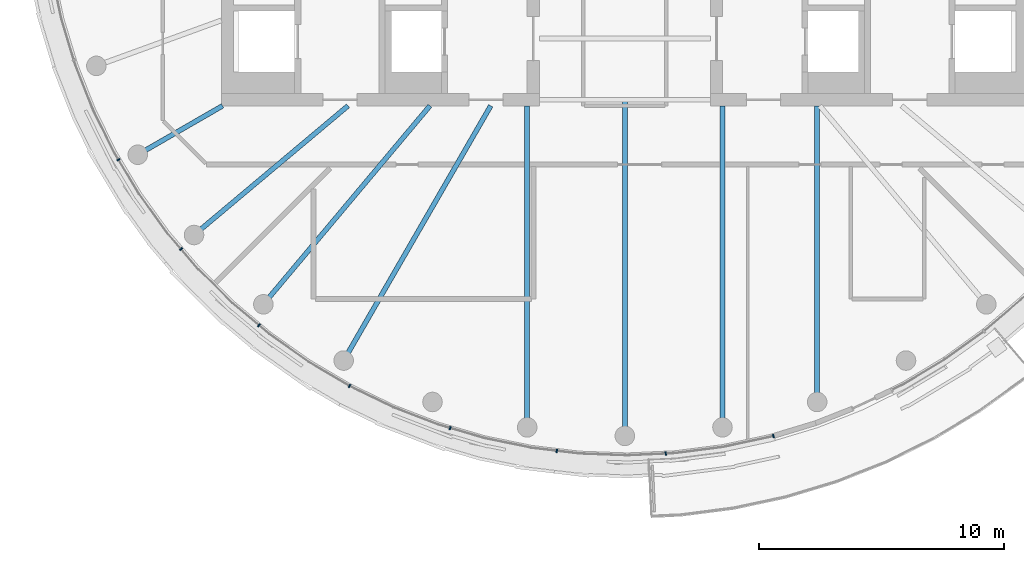
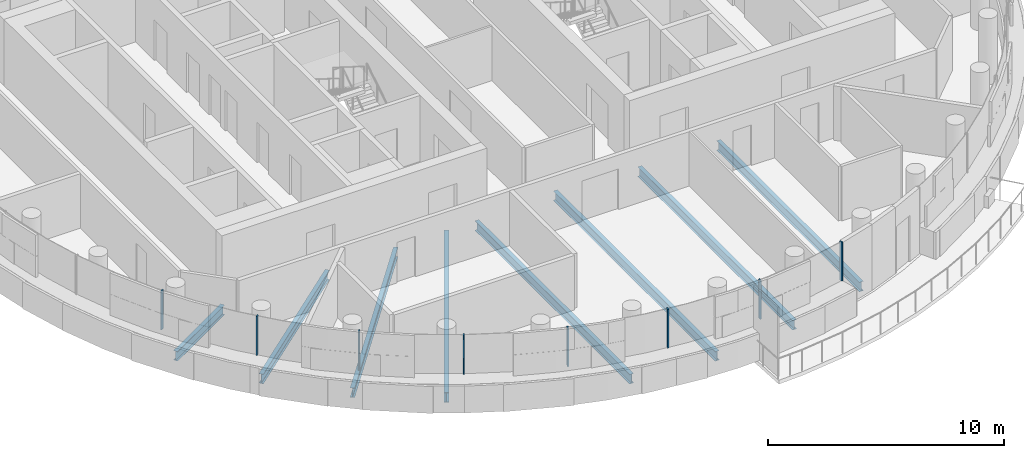
# One storey, part 2 of 20: 8 beams, 8 members, 1 element without a shape of its own.
"""IFC4 building model written with IfcOpenShell, lengths in metres."""

from ifc_helpers import new_model, si_unit, direction, frame, origin, origin_2d, place, context, subcontext, project, spatial, rectangle, i_section, extrude, material, layer, layer_set, material_profile, profile_set, type_object, element, aggregate, save


model = new_model("IFC4")

# Units and contexts
model_context = context("Model", 3, precision=1e-05, world=origin(), true_north=direction((0.0, 1.0)))
body_context = subcontext(model_context, "Body", "Model", "MODEL_VIEW")
ifc_project = project(units=[si_unit("LENGTHUNIT", "METRE"), si_unit("AREAUNIT", "SQUARE_METRE"), si_unit("VOLUMEUNIT", "CUBIC_METRE"), si_unit("PLANEANGLEUNIT", "RADIAN"), si_unit("MASSUNIT", "GRAM", prefix="KILO")], contexts=[model_context])

# Site, building, storey
site_placement = place(None, origin())
site = spatial("IfcSite", under=ifc_project, at=site_placement, CompositionType="ELEMENT")
building_placement = place(site_placement, origin())
building = spatial("IfcBuilding", under=site, at=building_placement, Name="Tamarind Cross Interchange Tower", CompositionType="ELEMENT")
storey_placement = place(building_placement, frame((0.0, 0.0, 274.800048828125)))
storey = spatial("IfcBuildingStorey", under=building, at=storey_placement, Name="L70", CompositionType="ELEMENT", Elevation=274.800048828125)

# Beams
ifc_material_1 = material(Name="Steel Q355B", Category="steel")
ifc_material_profile_1 = material_profile(ifc_material_1, i_section(OverallWidth=0.198974609375, OverallDepth=0.49609375, WebThickness=0.009033203125, FlangeThickness=0.013916015625, FilletRadius=0.012939453125, at=origin_2d()), Name="HN 496x199x9x14")
ifc_profile_set_1 = profile_set([ifc_material_profile_1], Name="Steel Q355B")
beam_type = type_object("IfcBeamType", Name="Composite beam HN 496x199x9x14 Q355B", PredefinedType="BEAM", material=ifc_profile_set_1)
beam_1_placement = place(storey_placement, frame((-19.918701171875, -11.5, -0.387939453125), z_axis=(0.866026010844, 0.49999894854, 0.0), x_axis=(-0.49999894854, 0.866026010844, 0.0)))
element("IfcBeam", 1, at=beam_1_placement, inside=storey, type_object=beam_type, Name="Beam HH21", PredefinedType="BEAM", context=body_context, shape_type="SweptSolid", body=[
    extrude(i_section(OverallWidth=0.198974609375, OverallDepth=0.49609375, WebThickness=0.009033203125, FlangeThickness=0.013916015625, FilletRadius=0.012939453125, at=origin_2d()), origin(), (0.0, 0.0, 1.0), 4.0),
])
beam_2_placement = place(storey_placement, frame((-17.619140625, -14.7841796875, -0.387939453125), z_axis=(0.766040580814, 0.642792212574, 0.0), x_axis=(-0.642792212574, 0.766040580814, 0.0)))
element("IfcBeam", 2, at=beam_2_placement, inside=storey, type_object=beam_type, Name="Beam HH22", PredefinedType="BEAM", context=body_context, shape_type="SweptSolid", body=[
    extrude(i_section(OverallWidth=0.198974609375, OverallDepth=0.49609375, WebThickness=0.009033203125, FlangeThickness=0.013916015625, FilletRadius=0.012939453125, at=origin_2d()), origin(), (0.0, 0.0, 1.0), 8.220703125),
])
beam_3_placement = place(storey_placement, frame((-14.7841796875, -17.619140625, -0.387939453125), z_axis=(0.642786293979, 0.766045547127, 0.0), x_axis=(-0.766045547127, 0.642786293979, 0.0)))
element("IfcBeam", 3, at=beam_3_placement, inside=storey, type_object=beam_type, Name="Beam HH23", PredefinedType="BEAM", context=body_context, shape_type="SweptSolid", body=[
    extrude(i_section(OverallWidth=0.198974609375, OverallDepth=0.49609375, WebThickness=0.009033203125, FlangeThickness=0.013916015625, FilletRadius=0.012939453125, at=origin_2d()), origin(), (0.0, 0.0, 1.0), 10.598876953125),
])
beam_4_placement = place(storey_placement, frame((-11.5, -19.918701171875, -0.387939453125), z_axis=(0.499993565836, 0.866029118519, 0.0), x_axis=(-0.866029118519, 0.499993565836, 0.0)))
element("IfcBeam", 4, at=beam_4_placement, inside=storey, type_object=beam_type, Name="Beam HH24", PredefinedType="BEAM", context=body_context, shape_type="SweptSolid", body=[
    extrude(i_section(OverallWidth=0.198974609375, OverallDepth=0.49609375, WebThickness=0.009033203125, FlangeThickness=0.013916015625, FilletRadius=0.012939453125, at=origin_2d()), origin(), (0.0, 0.0, 1.0), 12.030517578125),
])
beam_5_placement = place(storey_placement, frame((-3.993896484375, -22.650634765625, -0.387939453125), z_axis=(0.0, 1.0, 0.0), x_axis=(-1.0, 0.0, 0.0)))
element("IfcBeam", 5, at=beam_5_placement, inside=storey, type_object=beam_type, Name="Beam HH26", PredefinedType="BEAM", context=body_context, shape_type="SweptSolid", body=[
    extrude(i_section(OverallWidth=0.198974609375, OverallDepth=0.49609375, WebThickness=0.009033203125, FlangeThickness=0.013916015625, FilletRadius=0.012939453125, at=origin_2d()), origin(), (0.0, 0.0, 1.0), 13.150634765625),
])
beam_6_placement = place(storey_placement, frame((0.0, -23.0, -0.387939453125), z_axis=(0.0, 1.0, 0.0), x_axis=(-1.0, 0.0, 0.0)))
element("IfcBeam", 6, at=beam_6_placement, inside=storey, type_object=beam_type, Name="Beam HH27", PredefinedType="BEAM", context=body_context, shape_type="SweptSolid", body=[
    extrude(i_section(OverallWidth=0.198974609375, OverallDepth=0.49609375, WebThickness=0.009033203125, FlangeThickness=0.013916015625, FilletRadius=0.012939453125, at=origin_2d()), origin(), (0.0, 0.0, 1.0), 13.75),
])
beam_7_placement = place(storey_placement, frame((3.993896484375, -22.650634765625, -0.387939453125), z_axis=(0.0, 1.0, 0.0), x_axis=(-1.0, 0.0, 0.0)))
element("IfcBeam", 7, at=beam_7_placement, inside=storey, type_object=beam_type, Name="Beam HH28", PredefinedType="BEAM", context=body_context, shape_type="SweptSolid", body=[
    extrude(i_section(OverallWidth=0.198974609375, OverallDepth=0.49609375, WebThickness=0.009033203125, FlangeThickness=0.013916015625, FilletRadius=0.012939453125, at=origin_2d()), origin(), (0.0, 0.0, 1.0), 13.150634765625),
])
beam_8_placement = place(storey_placement, frame((7.866455078125, -21.613037109375, -0.387939453125), z_axis=(0.0, 1.0, 0.0), x_axis=(-1.0, 0.0, 0.0)))
element("IfcBeam", 8, at=beam_8_placement, inside=storey, type_object=beam_type, Name="Beam HH29", PredefinedType="BEAM", context=body_context, shape_type="SweptSolid", body=[
    extrude(i_section(OverallWidth=0.198974609375, OverallDepth=0.49609375, WebThickness=0.009033203125, FlangeThickness=0.013916015625, FilletRadius=0.012939453125, at=origin_2d()), origin(), (0.0, 0.0, 1.0), 12.113037109375),
])

# Curtain wall, members
ifc_material_2 = material(Name="Aluminium 6063-T6", Category="aluminium")
ifc_layer = layer(ifc_material_2, 0.139892578125)
ifc_layer_set = layer_set([ifc_layer], Name="Aluminium 6063-T6")
curtain_wall_type = type_object("IfcCurtainWallType", Name="Hotel curtain wall, 4.5 m bays", PredefinedType="NOTDEFINED", material=ifc_layer_set)
curtain_wall_placement = place(storey_placement, origin())
curtain_wall = element("IfcCurtainWall", 9, at=curtain_wall_placement, inside=storey, type_object=curtain_wall_type, Name="CWS-L70-01", PredefinedType="NOTDEFINED")
ifc_material_profile_2 = material_profile(ifc_material_2, rectangle(XDim=0.06005859375, YDim=0.139892578125, at=origin_2d()), Name="Mullion CW2")
ifc_profile_set_2 = profile_set([ifc_material_profile_2], Name="Aluminium 6063-T6")
member_type = type_object("IfcMemberType", Name="Mullion CW2", PredefinedType="MULLION", material=ifc_profile_set_2)
member_1_placement = place(storey_placement, frame((-20.704833984375, -11.704833984375, 1.39990234375), z_axis=(0.0, 0.0, 1.0), x_axis=(0.515577308909, -0.856843065292, 0.0)))
member_1 = element("IfcMember", 10, at=member_1_placement, type_object=member_type, Name="CWM-L70-01-08", PredefinedType="MULLION", context=body_context, shape_type="SweptSolid", body=[
    extrude(rectangle(XDim=0.06005859375, YDim=0.139892578125, at=origin_2d()), origin(), (0.0, 0.0, 1.0), 2.02001953125),
])
member_2_placement = place(storey_placement, frame((-18.149169921875, -15.35888671875, 1.39990234375), z_axis=(0.0, 0.0, 1.0), x_axis=(0.64957723968, -0.760295606781, 0.0)))
member_2 = element("IfcMember", 11, at=member_2_placement, type_object=member_type, Name="CWM-L70-01-09", PredefinedType="MULLION", context=body_context, shape_type="SweptSolid", body=[
    extrude(rectangle(XDim=0.06005859375, YDim=0.139892578125, at=origin_2d()), origin(), (0.0, 0.0, 1.0), 2.02001953125),
])
member_3_placement = place(storey_placement, frame((-14.96484375, -18.479736328125, 1.39990234375), z_axis=(0.0, 0.0, 1.0), x_axis=(0.765858396687, -0.643009266048, 0.0)))
member_3 = element("IfcMember", 12, at=member_3_placement, type_object=member_type, Name="CWM-L70-01-10", PredefinedType="MULLION", context=body_context, shape_type="SweptSolid", body=[
    extrude(rectangle(XDim=0.06005859375, YDim=0.139892578125, at=origin_2d()), origin(), (0.0, 0.0, 1.0), 2.02001953125),
])
member_4_placement = place(storey_placement, frame((-11.259521484375, -20.962158203125, 1.39990234375), z_axis=(0.0, 0.0, 1.0), x_axis=(0.861248933065, -0.508183308752, 0.0)))
member_4 = element("IfcMember", 13, at=member_4_placement, type_object=member_type, Name="CWM-L70-01-11", PredefinedType="MULLION", context=body_context, shape_type="SweptSolid", body=[
    extrude(rectangle(XDim=0.06005859375, YDim=0.139892578125, at=origin_2d()), origin(), (0.0, 0.0, 1.0), 2.02001953125),
])
member_5_placement = place(storey_placement, frame((-7.144775390625, -22.681640625, 1.39990234375), z_axis=(0.0, 0.0, 1.0), x_axis=(0.95964657186, -0.281208920763, 0.0)))
member_5 = element("IfcMember", 14, at=member_5_placement, type_object=member_type, Name="CWM-L70-01-12", PredefinedType="MULLION", context=body_context, shape_type="SweptSolid", body=[
    extrude(rectangle(XDim=0.06005859375, YDim=0.139892578125, at=origin_2d()), origin(), (0.0, 0.0, 1.0), 2.02001953125),
])
member_6_placement = place(storey_placement, frame((-2.7841796875, -23.612060546875, 1.39990234375), z_axis=(0.0, 0.0, 1.0), x_axis=(0.992843710523, -0.119420963295, 0.0)))
member_6 = element("IfcMember", 15, at=member_6_placement, type_object=member_type, Name="CWM-L70-01-13", PredefinedType="MULLION", context=body_context, shape_type="SweptSolid", body=[
    extrude(rectangle(XDim=0.06005859375, YDim=0.139892578125, at=origin_2d()), origin(), (0.0, 0.0, 1.0), 2.02001953125),
])
member_7_placement = place(storey_placement, frame((1.673583984375, -23.723876953125, 1.39990234375), z_axis=(0.0, 0.0, 1.0), x_axis=(0.998958660912, 0.045624486728, 0.0)))
member_7 = element("IfcMember", 16, at=member_7_placement, type_object=member_type, Name="CWM-L70-01-14", PredefinedType="MULLION", context=body_context, shape_type="SweptSolid", body=[
    extrude(rectangle(XDim=0.06005859375, YDim=0.139892578125, at=origin_2d()), origin(), (0.0, 0.0, 1.0), 2.02001953125),
])
member_8_placement = place(storey_placement, frame((6.07373046875, -23.001953125, 1.39990234375), z_axis=(0.0, 0.0, 1.0), x_axis=(0.957190642199, 0.289458243079, 0.0)))
member_8 = element("IfcMember", 17, at=member_8_placement, type_object=member_type, Name="CWM-L70-01-15", PredefinedType="MULLION", context=body_context, shape_type="SweptSolid", body=[
    extrude(rectangle(XDim=0.06005859375, YDim=0.139892578125, at=origin_2d()), origin(), (0.0, 0.0, 1.0), 2.02001953125),
])
aggregate(curtain_wall, [member_1, member_2, member_3, member_4, member_5, member_6, member_7, member_8])

save(model, "model.ifc")
